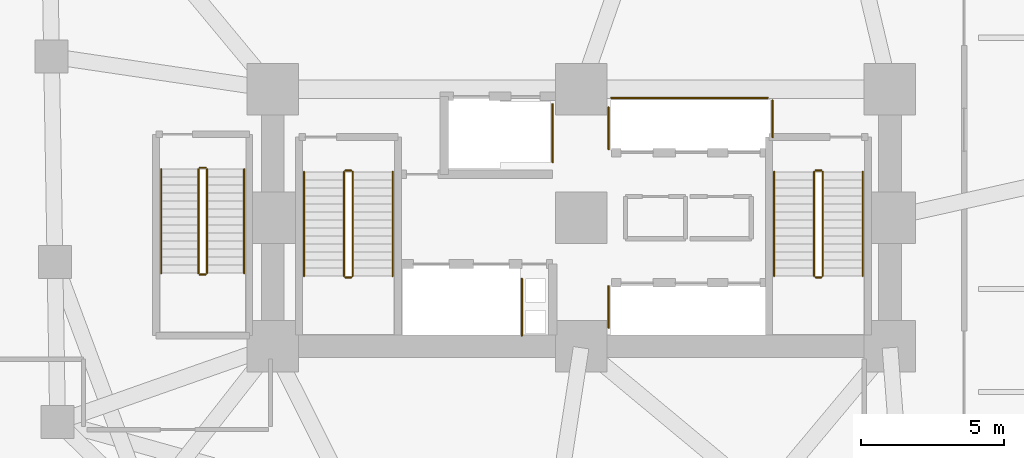
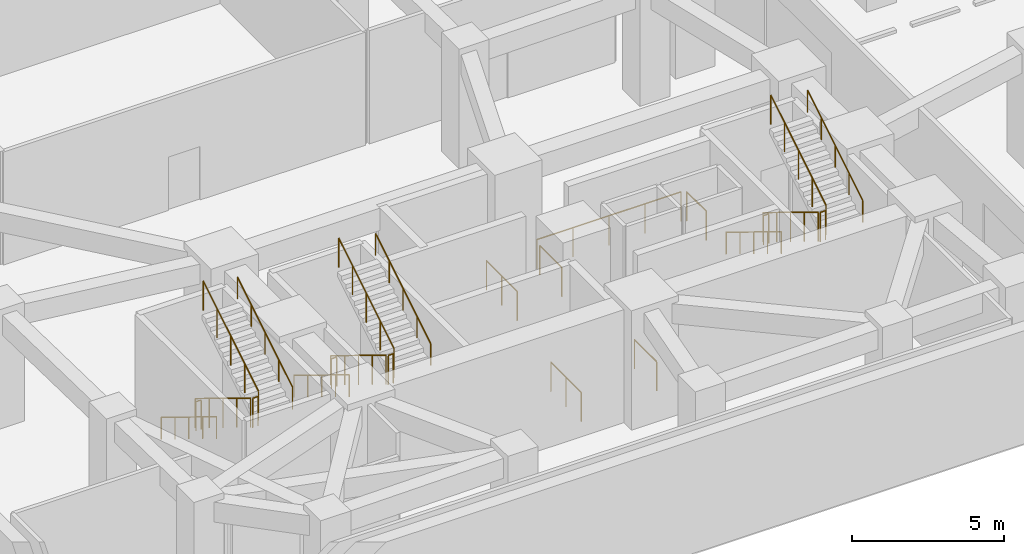
# One storey, part 8 of 11: 24 railings.
"""IFC4 building model written with IfcOpenShell, lengths in metres."""

import ifcopenshell
import ifcopenshell.guid

model = None  # the IFC model being written
_history = None  # IfcOwnerHistory: only IFC2X3 demands one
_inside = {}  # id of a spatial element -> (the spatial element, [elements in it])
_under = {}  # id of a project, library or spatial element -> (it, [spatial elements below it])
_declared = {}  # id of a project -> (the project, [libraries it declares])
_typed = {}  # id of a type object -> (the type object, [elements of that type])
_made_of = {}  # id of a material, layer set ... -> (it, [elements and type objects made of it])


def new_model(schema):
    """Start an empty IFC model of exactly this schema.

    Asked for "IFC4X3", IfcOpenShell would pick the latest addendum, in which some entities
    have other attributes; the version numbers below select the first issue.
    IFC2X3 requires an IfcOwnerHistory on every rooted entity: one is made here for all.
    """
    global model, _history
    if schema == "IFC4X3":
        model = ifcopenshell.file(schema_version=(4, 3, 0, 0))
    else:
        model = ifcopenshell.file(schema=schema)
    _inside.clear()
    _under.clear()
    _declared.clear()
    _typed.clear()
    _made_of.clear()
    _history = None
    if model.schema == "IFC2X3":
        org = make("IfcOrganization", Name="unknown")
        user = make(
            "IfcPersonAndOrganization",
            ThePerson=make("IfcPerson", FamilyName="unknown"),
            TheOrganization=org,
        )
        app = make(
            "IfcApplication",
            ApplicationDeveloper=org,
            Version="unknown",
            ApplicationFullName="unknown",
            ApplicationIdentifier="unknown",
        )
        _history = make(
            "IfcOwnerHistory",
            OwningUser=user,
            OwningApplication=app,
            ChangeAction="ADDED",
            CreationDate=0,
        )
    return model


def make(cls, **values):
    """One entity of the class cls with the attributes given. An attribute that is None is left unset."""
    return model.create_entity(
        cls, **{name: value for name, value in values.items() if value is not None}
    )


def rooted(cls, **values):
    """An entity with a GlobalId (a new one), such as an element, a storey or a relation."""
    return make(cls, GlobalId=ifcopenshell.guid.new(), OwnerHistory=_history, **values)


def si_unit(unit_type, name, prefix=None):
    """IfcSIUnit, for example si_unit("LENGTHUNIT", "METRE", prefix="MILLI")."""
    return make("IfcSIUnit", UnitType=unit_type, Prefix=prefix, Name=name)


def assignment(units):
    """IfcUnitAssignment: the units of a project."""
    return None if units is None else make("IfcUnitAssignment", Units=units)


def point(xyz):
    """IfcCartesianPoint."""
    return None if xyz is None else make("IfcCartesianPoint", Coordinates=xyz)


def direction(xyz):
    """IfcDirection."""
    return None if xyz is None else make("IfcDirection", DirectionRatios=xyz)


def frame(location, z_axis=None, x_axis=None):
    """IfcAxis2Placement3D, a coordinate frame: its origin and axes. An axis left out is left unset."""
    return make(
        "IfcAxis2Placement3D",
        Location=point(location),
        Axis=direction(z_axis),
        RefDirection=direction(x_axis),
    )


def frame_2d(location, x_axis=None):
    """IfcAxis2Placement2D, a coordinate frame in the plane: its origin and x axis."""
    return make(
        "IfcAxis2Placement2D", Location=point(location), RefDirection=direction(x_axis)
    )


def origin():
    """The frame at (0, 0, 0) with its axes left unset."""
    return frame((0.0, 0.0, 0.0))


def origin_2d():
    """The frame at (0, 0) in the plane with its x axis left unset."""
    return frame_2d((0.0, 0.0))


def place(relative_to, where):
    """IfcLocalPlacement: puts the frame where relative to a parent placement (None: the world)."""
    return make(
        "IfcLocalPlacement", PlacementRelTo=relative_to, RelativePlacement=where
    )


def context(
    kind, dimensions, precision=None, world=None, true_north=None, identifier=None
):
    """IfcGeometricRepresentationContext, for example the 3D "Model" context."""
    return make(
        "IfcGeometricRepresentationContext",
        ContextIdentifier=identifier,
        ContextType=kind,
        CoordinateSpaceDimension=dimensions,
        Precision=precision,
        WorldCoordinateSystem=world,
        TrueNorth=true_north,
    )


def subcontext(parent, identifier, kind, view, scale=None):
    """IfcGeometricRepresentationSubContext, for example "Body" below "Model"."""
    return make(
        "IfcGeometricRepresentationSubContext",
        ContextIdentifier=identifier,
        ContextType=kind,
        ParentContext=parent,
        TargetScale=scale,
        TargetView=view,
    )


def project(units=None, contexts=None):
    """IfcProject with its units and contexts."""
    return rooted(
        "IfcProject",
        Name="project",
        RepresentationContexts=contexts,
        UnitsInContext=assignment(units),
    )


def spatial(cls, under=None, at=None, **own):
    """A site, building, storey or space (cls), placed at a placement, below another one or the project."""
    s = rooted(cls, ObjectPlacement=at, **own)
    if under is not None:
        _under.setdefault(under.id(), (under, []))[1].append(s)
    return s


def profile(cls, at=None, kind="AREA", **sizes):
    """A parametric profile (cls). Its sizes go by their IFC names, for example OverallWidth=200.0."""
    return make(cls, ProfileType=kind, Position=at, **sizes)


def circle(**sizes):
    """IfcCircleProfileDef."""
    return profile("IfcCircleProfileDef", **sizes)


def extrude(swept, where, along, depth):
    """IfcExtrudedAreaSolid: the profile swept, set in the frame where, extruded along a direction by depth."""
    return make(
        "IfcExtrudedAreaSolid",
        SweptArea=swept,
        Position=where,
        ExtrudedDirection=direction(along),
        Depth=depth,
    )


def shape(context_of_items, identifier, shape_type, items):
    """IfcShapeRepresentation: the items that make up one representation, for example the "Body"."""
    return make(
        "IfcShapeRepresentation",
        ContextOfItems=context_of_items,
        RepresentationIdentifier=identifier,
        RepresentationType=shape_type,
        Items=items,
    )


def material(Name=None, Category=None):
    """IfcMaterial."""
    return make("IfcMaterial", Name=Name, Category=Category)


def made_of(thing, what):
    """Note that an element or type object is made of a material, layer set ...; save() writes the relation."""
    if what is not None:
        _made_of.setdefault(what.id(), (what, []))[1].append(thing)
    return thing


def type_object(cls, material=None, **own):
    """A type object (cls), such as IfcWallType, which elements share."""
    return made_of(rooted(cls, **own), material)


def element(
    cls,
    number,
    at=None,
    inside=None,
    cuts=None,
    type_object=None,
    material=None,
    context=None,
    identifier="Body",
    shape_type=None,
    held_by="IfcProductDefinitionShape",
    body=None,
    shapes=None,
    **own,
):
    """One element of the class cls, such as IfcWall. Its Tag is "e" and its number.

    at: its placement. inside: the storey or other place that contains it. cuts: it is an
    opening in that element (IfcRelVoidsElement). A single representation is given by context,
    identifier, shape_type and body (its items); several are given by shapes. held_by: the class
    of the entity that holds the representations. save() writes the other relations.
    """
    e = rooted(cls, Tag="e%d" % number, ObjectPlacement=at, **own)
    if body is not None:
        shapes = [shape(context, identifier, shape_type, body)]
    if shapes is not None:
        e.Representation = make(held_by, Representations=shapes)
    if inside is not None:
        _inside.setdefault(inside.id(), (inside, []))[1].append(e)
    if cuts is not None:
        rooted(
            "IfcRelVoidsElement", RelatingBuildingElement=cuts, RelatedOpeningElement=e
        )
    if type_object is not None:
        _typed.setdefault(type_object.id(), (type_object, []))[1].append(e)
    return made_of(e, material)


def aggregate(whole, parts):
    """IfcRelAggregates: a whole, such as a stair, and the parts it consists of."""
    return rooted("IfcRelAggregates", RelatingObject=whole, RelatedObjects=parts)


def save(model, path):
    """Write the relations noted so far, then the file.

    IfcRelAggregates (storeys below a building ...), IfcRelContainedInSpatialStructure (elements
    in a storey), IfcRelDefinesByType, IfcRelAssociatesMaterial and IfcRelDeclares: one each for
    every whole, place, type object, material and project.
    """
    for whole, parts in _under.values():
        aggregate(whole, parts)
    for where, things in _inside.values():
        rooted(
            "IfcRelContainedInSpatialStructure",
            RelatedElements=things,
            RelatingStructure=where,
        )
    for kind, things in _typed.values():
        rooted("IfcRelDefinesByType", RelatedObjects=things, RelatingType=kind)
    for what, things in _made_of.values():
        rooted("IfcRelAssociatesMaterial", RelatedObjects=things, RelatingMaterial=what)
    for by, libraries in _declared.values():
        rooted("IfcRelDeclares", RelatingContext=by, RelatedDefinitions=libraries)
    model.write(path)


model = new_model("IFC4")

# Units and contexts
model_context = context("Model", 3, precision=1e-05, world=origin(), true_north=direction((0.0, 1.0)))
body_context = subcontext(model_context, "Body", "Model", "MODEL_VIEW")
ifc_project = project(units=[si_unit("LENGTHUNIT", "METRE"), si_unit("AREAUNIT", "SQUARE_METRE"), si_unit("VOLUMEUNIT", "CUBIC_METRE"), si_unit("PLANEANGLEUNIT", "RADIAN"), si_unit("MASSUNIT", "GRAM", prefix="KILO")], contexts=[model_context])

# Site, building, storey
site_placement = place(None, origin())
site = spatial("IfcSite", under=ifc_project, at=site_placement, CompositionType="ELEMENT")
building_placement = place(site_placement, origin())
building = spatial("IfcBuilding", under=site, at=building_placement, Name="Gaonmaruhae Medical Tower", CompositionType="ELEMENT")
storey_placement = place(building_placement, frame((0.0, 0.0, -4.800048828125)))
storey = spatial("IfcBuildingStorey", under=building, at=storey_placement, Name="B01", CompositionType="ELEMENT", Elevation=-4.800048828125)

# Railings
ifc_material_1 = material(Name="Stainless steel 304 handrail", Category="steel")
railing_type_1 = type_object("IfcRailingType", Name="HR-092 Continuous Stainless Steel Stair Handrail", PredefinedType="HANDRAIL", material=ifc_material_1)
railing_1_placement = place(storey_placement, frame((15.10009765625, 13.89990234375, 0.17138671875)))
element("IfcRailing", 1, at=railing_1_placement, inside=storey, type_object=railing_type_1, Name="B01 ST-01 stair handrail 1", PredefinedType="HANDRAIL", context=body_context, shape_type="SweptSolid", body=[
    extrude(circle(Radius=0.02392578125, at=origin_2d()), frame((0.0, 0.0, 0.8759765625), z_axis=(0.0, -0.852824790078, 0.522197163366), x_axis=(1.0, 0.0, 0.0)), (0.0, 0.0, 1.0), 4.26806640625),
    extrude(circle(Radius=0.02099609375, at=origin_2d()), origin(), (0.0, 0.0, 1.0), 0.851806640625),
    extrude(circle(Radius=0.02099609375, at=origin_2d()), frame((0.0, -0.909912109375, 0.55712890625)), (0.0, 0.0, 1.0), 0.851806640625),
    extrude(circle(Radius=0.02099609375, at=origin_2d()), frame((0.0, -1.81982421875, 1.1142578125)), (0.0, 0.0, 1.0), 0.851806640625),
    extrude(circle(Radius=0.02099609375, at=origin_2d()), frame((0.0, -2.72998046875, 1.671630859375)), (0.0, 0.0, 1.0), 0.851806640625),
    extrude(circle(Radius=0.02099609375, at=origin_2d()), frame((0.0, -3.639892578125, 2.228759765625)), (0.0, 0.0, 1.0), 0.851806640625),
])
railing_2_placement = place(storey_placement, frame((18.199951171875, 10.260009765625, 2.571533203125)))
element("IfcRailing", 2, at=railing_2_placement, inside=storey, type_object=railing_type_1, Name="B01 ST-01 stair handrail 2", PredefinedType="HANDRAIL", context=body_context, shape_type="SweptSolid", body=[
    extrude(circle(Radius=0.02392578125, at=origin_2d()), frame((0.0, 0.0, 0.8759765625), z_axis=(0.0, 0.852850264322, 0.5221555579), x_axis=(-1.0, 0.0, 0.0)), (0.0, 0.0, 1.0), 4.267822265625),
    extrude(circle(Radius=0.02099609375, at=origin_2d()), origin(), (0.0, 0.0, 1.0), 0.851806640625),
    extrude(circle(Radius=0.02099609375, at=origin_2d()), frame((0.0, 0.909912109375, 0.55712890625)), (0.0, 0.0, 1.0), 0.851806640625),
    extrude(circle(Radius=0.02099609375, at=origin_2d()), frame((0.0, 1.81982421875, 1.1142578125)), (0.0, 0.0, 1.0), 0.851806640625),
    extrude(circle(Radius=0.02099609375, at=origin_2d()), frame((0.0, 2.72998046875, 1.67138671875)), (0.0, 0.0, 1.0), 0.851806640625),
    extrude(circle(Radius=0.02099609375, at=origin_2d()), frame((0.0, 3.639892578125, 2.228515625)), (0.0, 0.0, 1.0), 0.851806640625),
])
railing_3_placement = place(storey_placement, frame((31.550048828125, 13.89990234375, 0.17138671875)))
element("IfcRailing", 3, at=railing_3_placement, inside=storey, type_object=railing_type_1, Name="B01 ST-02 stair handrail 1", PredefinedType="HANDRAIL", context=body_context, shape_type="SweptSolid", body=[
    extrude(circle(Radius=0.02392578125, at=origin_2d()), frame((0.0, 0.0, 0.8759765625), z_axis=(0.0, -0.852824790078, 0.522197163366), x_axis=(1.0, 0.0, 0.0)), (0.0, 0.0, 1.0), 4.26806640625),
    extrude(circle(Radius=0.02099609375, at=origin_2d()), origin(), (0.0, 0.0, 1.0), 0.851806640625),
    extrude(circle(Radius=0.02099609375, at=origin_2d()), frame((0.0, -0.909912109375, 0.55712890625)), (0.0, 0.0, 1.0), 0.851806640625),
    extrude(circle(Radius=0.02099609375, at=origin_2d()), frame((0.0, -1.81982421875, 1.1142578125)), (0.0, 0.0, 1.0), 0.851806640625),
    extrude(circle(Radius=0.02099609375, at=origin_2d()), frame((0.0, -2.72998046875, 1.671630859375)), (0.0, 0.0, 1.0), 0.851806640625),
    extrude(circle(Radius=0.02099609375, at=origin_2d()), frame((0.0, -3.639892578125, 2.228759765625)), (0.0, 0.0, 1.0), 0.851806640625),
])
railing_4_placement = place(storey_placement, frame((34.64990234375, 10.260009765625, 2.571533203125)))
element("IfcRailing", 4, at=railing_4_placement, inside=storey, type_object=railing_type_1, Name="B01 ST-02 stair handrail 2", PredefinedType="HANDRAIL", context=body_context, shape_type="SweptSolid", body=[
    extrude(circle(Radius=0.02392578125, at=origin_2d()), frame((0.0, 0.0, 0.8759765625), z_axis=(0.0, 0.852850264322, 0.5221555579), x_axis=(-1.0, 0.0, 0.0)), (0.0, 0.0, 1.0), 4.267822265625),
    extrude(circle(Radius=0.02099609375, at=origin_2d()), origin(), (0.0, 0.0, 1.0), 0.851806640625),
    extrude(circle(Radius=0.02099609375, at=origin_2d()), frame((0.0, 0.909912109375, 0.55712890625)), (0.0, 0.0, 1.0), 0.851806640625),
    extrude(circle(Radius=0.02099609375, at=origin_2d()), frame((0.0, 1.81982421875, 1.1142578125)), (0.0, 0.0, 1.0), 0.851806640625),
    extrude(circle(Radius=0.02099609375, at=origin_2d()), frame((0.0, 2.72998046875, 1.67138671875)), (0.0, 0.0, 1.0), 0.851806640625),
    extrude(circle(Radius=0.02099609375, at=origin_2d()), frame((0.0, 3.639892578125, 2.228515625)), (0.0, 0.0, 1.0), 0.851806640625),
])
railing_5_placement = place(storey_placement, frame((10.10009765625, 14.0, 0.17138671875)))
element("IfcRailing", 5, at=railing_5_placement, inside=storey, type_object=railing_type_1, Name="B01 ST-03 stair handrail 1", PredefinedType="HANDRAIL", context=body_context, shape_type="SweptSolid", body=[
    extrude(circle(Radius=0.02392578125, at=origin_2d()), frame((0.0, 0.0, 0.8759765625), z_axis=(0.0, -0.852824790078, 0.522197163366), x_axis=(1.0, 0.0, 0.0)), (0.0, 0.0, 1.0), 4.26806640625),
    extrude(circle(Radius=0.02099609375, at=origin_2d()), origin(), (0.0, 0.0, 1.0), 0.851806640625),
    extrude(circle(Radius=0.02099609375, at=origin_2d()), frame((0.0, -0.909912109375, 0.55712890625)), (0.0, 0.0, 1.0), 0.851806640625),
    extrude(circle(Radius=0.02099609375, at=origin_2d()), frame((0.0, -1.81982421875, 1.1142578125)), (0.0, 0.0, 1.0), 0.851806640625),
    extrude(circle(Radius=0.02099609375, at=origin_2d()), frame((0.0, -2.72998046875, 1.671630859375)), (0.0, 0.0, 1.0), 0.851806640625),
    extrude(circle(Radius=0.02099609375, at=origin_2d()), frame((0.0, -3.639892578125, 2.228759765625)), (0.0, 0.0, 1.0), 0.851806640625),
])
railing_6_placement = place(storey_placement, frame((13.0, 10.360107421875, 2.571533203125)))
element("IfcRailing", 6, at=railing_6_placement, inside=storey, type_object=railing_type_1, Name="B01 ST-03 stair handrail 2", PredefinedType="HANDRAIL", context=body_context, shape_type="SweptSolid", body=[
    extrude(circle(Radius=0.02392578125, at=origin_2d()), frame((0.0, 0.0, 0.8759765625), z_axis=(0.0, 0.852850264322, 0.5221555579), x_axis=(-1.0, 0.0, 0.0)), (0.0, 0.0, 1.0), 4.267822265625),
    extrude(circle(Radius=0.02099609375, at=origin_2d()), origin(), (0.0, 0.0, 1.0), 0.851806640625),
    extrude(circle(Radius=0.02099609375, at=origin_2d()), frame((0.0, 0.909912109375, 0.55712890625)), (0.0, 0.0, 1.0), 0.851806640625),
    extrude(circle(Radius=0.02099609375, at=origin_2d()), frame((0.0, 1.81982421875, 1.1142578125)), (0.0, 0.0, 1.0), 0.851806640625),
    extrude(circle(Radius=0.02099609375, at=origin_2d()), frame((0.0, 2.72998046875, 1.67138671875)), (0.0, 0.0, 1.0), 0.851806640625),
    extrude(circle(Radius=0.02099609375, at=origin_2d()), frame((0.0, 3.639892578125, 2.228515625)), (0.0, 0.0, 1.0), 0.851806640625),
])
ifc_material_2 = material(Name="Stainless steel 304 balustrade", Category="steel")
railing_type_2 = type_object("IfcRailingType", Name="SG-112 Stair Well & Ramp Void Safety Balustrade", PredefinedType="BALUSTRADE", material=ifc_material_2)
railing_7_placement = place(storey_placement, frame((16.5, 13.89990234375, 0.17138671875)))
element("IfcRailing", 7, at=railing_7_placement, inside=storey, type_object=railing_type_2, Name="B01 ST-01 stair guard 1", PredefinedType="BALUSTRADE", context=body_context, shape_type="SweptSolid", body=[
    extrude(circle(Radius=0.02392578125, at=origin_2d()), frame((0.0, 0.0, 1.17578125), z_axis=(0.0, -0.852824790078, 0.522197163366), x_axis=(1.0, 0.0, 0.0)), (0.0, 0.0, 1.0), 4.26806640625),
    extrude(circle(Radius=0.02099609375, at=origin_2d()), origin(), (0.0, 0.0, 1.0), 1.15185546875),
    extrude(circle(Radius=0.02099609375, at=origin_2d()), frame((0.0, -0.909912109375, 0.55712890625)), (0.0, 0.0, 1.0), 1.15185546875),
    extrude(circle(Radius=0.02099609375, at=origin_2d()), frame((0.0, -1.81982421875, 1.1142578125)), (0.0, 0.0, 1.0), 1.15185546875),
    extrude(circle(Radius=0.02099609375, at=origin_2d()), frame((0.0, -2.72998046875, 1.671630859375)), (0.0, 0.0, 1.0), 1.15185546875),
    extrude(circle(Radius=0.02099609375, at=origin_2d()), frame((0.0, -3.639892578125, 2.228759765625)), (0.0, 0.0, 1.0), 1.15185546875),
])
railing_8_placement = place(storey_placement, frame((16.550048828125, 10.2099609375, 2.400146484375)))
element("IfcRailing", 8, at=railing_8_placement, inside=storey, type_object=railing_type_2, Name="B01 ST-01 stair guard 2", PredefinedType="BALUSTRADE", context=body_context, shape_type="SweptSolid", body=[
    extrude(circle(Radius=0.02392578125, at=origin_2d()), frame((0.0, 0.0, 1.17578125), z_axis=(1.0, 0.0, 0.0), x_axis=(0.0, 1.0, 0.0)), (0.0, 0.0, 1.0), 0.199951171875),
    extrude(circle(Radius=0.02099609375, at=origin_2d()), origin(), (0.0, 0.0, 1.0), 1.15185546875),
    extrude(circle(Radius=0.02099609375, at=origin_2d()), frame((0.199951171875, 0.0, 0.0)), (0.0, 0.0, 1.0), 1.15185546875),
])
railing_9_placement = place(storey_placement, frame((16.800048828125, 10.260009765625, 2.571533203125)))
element("IfcRailing", 9, at=railing_9_placement, inside=storey, type_object=railing_type_2, Name="B01 ST-01 stair guard 3", PredefinedType="BALUSTRADE", context=body_context, shape_type="SweptSolid", body=[
    extrude(circle(Radius=0.02392578125, at=origin_2d()), frame((0.0, 0.0, 1.17578125), z_axis=(0.0, 0.852850264322, 0.5221555579), x_axis=(-1.0, 0.0, 0.0)), (0.0, 0.0, 1.0), 4.267822265625),
    extrude(circle(Radius=0.02099609375, at=origin_2d()), origin(), (0.0, 0.0, 1.0), 1.15185546875),
    extrude(circle(Radius=0.02099609375, at=origin_2d()), frame((0.0, 0.909912109375, 0.55712890625)), (0.0, 0.0, 1.0), 1.15185546875),
    extrude(circle(Radius=0.02099609375, at=origin_2d()), frame((0.0, 1.81982421875, 1.1142578125)), (0.0, 0.0, 1.0), 1.15185546875),
    extrude(circle(Radius=0.02099609375, at=origin_2d()), frame((0.0, 2.72998046875, 1.67138671875)), (0.0, 0.0, 1.0), 1.15185546875),
    extrude(circle(Radius=0.02099609375, at=origin_2d()), frame((0.0, 3.639892578125, 2.228515625)), (0.0, 0.0, 1.0), 1.15185546875),
])
railing_10_placement = place(storey_placement, frame((16.550048828125, 13.949951171875, 0.0)))
element("IfcRailing", 10, at=railing_10_placement, inside=storey, type_object=railing_type_2, Name="B01 ST-01 stair guard 4", PredefinedType="BALUSTRADE", context=body_context, shape_type="SweptSolid", body=[
    extrude(circle(Radius=0.02392578125, at=origin_2d()), frame((0.0, 0.0, 1.17578125), z_axis=(1.0, 0.0, 0.0), x_axis=(0.0, 1.0, 0.0)), (0.0, 0.0, 1.0), 0.199951171875),
    extrude(circle(Radius=0.02099609375, at=origin_2d()), origin(), (0.0, 0.0, 1.0), 1.15185546875),
    extrude(circle(Radius=0.02099609375, at=origin_2d()), frame((0.199951171875, 0.0, 0.0)), (0.0, 0.0, 1.0), 1.15185546875),
])
railing_11_placement = place(storey_placement, frame((32.949951171875, 13.89990234375, 0.17138671875)))
element("IfcRailing", 11, at=railing_11_placement, inside=storey, type_object=railing_type_2, Name="B01 ST-02 stair guard 1", PredefinedType="BALUSTRADE", context=body_context, shape_type="SweptSolid", body=[
    extrude(circle(Radius=0.02392578125, at=origin_2d()), frame((0.0, 0.0, 1.17578125), z_axis=(0.0, -0.852824790078, 0.522197163366), x_axis=(1.0, 0.0, 0.0)), (0.0, 0.0, 1.0), 4.26806640625),
    extrude(circle(Radius=0.02099609375, at=origin_2d()), origin(), (0.0, 0.0, 1.0), 1.15185546875),
    extrude(circle(Radius=0.02099609375, at=origin_2d()), frame((0.0, -0.909912109375, 0.55712890625)), (0.0, 0.0, 1.0), 1.15185546875),
    extrude(circle(Radius=0.02099609375, at=origin_2d()), frame((0.0, -1.81982421875, 1.1142578125)), (0.0, 0.0, 1.0), 1.15185546875),
    extrude(circle(Radius=0.02099609375, at=origin_2d()), frame((0.0, -2.72998046875, 1.671630859375)), (0.0, 0.0, 1.0), 1.15185546875),
    extrude(circle(Radius=0.02099609375, at=origin_2d()), frame((0.0, -3.639892578125, 2.228759765625)), (0.0, 0.0, 1.0), 1.15185546875),
])
railing_12_placement = place(storey_placement, frame((33.0, 10.2099609375, 2.400146484375)))
element("IfcRailing", 12, at=railing_12_placement, inside=storey, type_object=railing_type_2, Name="B01 ST-02 stair guard 2", PredefinedType="BALUSTRADE", context=body_context, shape_type="SweptSolid", body=[
    extrude(circle(Radius=0.02392578125, at=origin_2d()), frame((0.0, 0.0, 1.17578125), z_axis=(1.0, 0.0, 0.0), x_axis=(0.0, 1.0, 0.0)), (0.0, 0.0, 1.0), 0.199951171875),
    extrude(circle(Radius=0.02099609375, at=origin_2d()), origin(), (0.0, 0.0, 1.0), 1.15185546875),
    extrude(circle(Radius=0.02099609375, at=origin_2d()), frame((0.199951171875, 0.0, 0.0)), (0.0, 0.0, 1.0), 1.15185546875),
])
railing_13_placement = place(storey_placement, frame((33.25, 10.260009765625, 2.571533203125)))
element("IfcRailing", 13, at=railing_13_placement, inside=storey, type_object=railing_type_2, Name="B01 ST-02 stair guard 3", PredefinedType="BALUSTRADE", context=body_context, shape_type="SweptSolid", body=[
    extrude(circle(Radius=0.02392578125, at=origin_2d()), frame((0.0, 0.0, 1.17578125), z_axis=(0.0, 0.852850264322, 0.5221555579), x_axis=(-1.0, 0.0, 0.0)), (0.0, 0.0, 1.0), 4.267822265625),
    extrude(circle(Radius=0.02099609375, at=origin_2d()), origin(), (0.0, 0.0, 1.0), 1.15185546875),
    extrude(circle(Radius=0.02099609375, at=origin_2d()), frame((0.0, 0.909912109375, 0.55712890625)), (0.0, 0.0, 1.0), 1.15185546875),
    extrude(circle(Radius=0.02099609375, at=origin_2d()), frame((0.0, 1.81982421875, 1.1142578125)), (0.0, 0.0, 1.0), 1.15185546875),
    extrude(circle(Radius=0.02099609375, at=origin_2d()), frame((0.0, 2.72998046875, 1.67138671875)), (0.0, 0.0, 1.0), 1.15185546875),
    extrude(circle(Radius=0.02099609375, at=origin_2d()), frame((0.0, 3.639892578125, 2.228515625)), (0.0, 0.0, 1.0), 1.15185546875),
])
railing_14_placement = place(storey_placement, frame((33.0, 13.949951171875, 0.0)))
element("IfcRailing", 14, at=railing_14_placement, inside=storey, type_object=railing_type_2, Name="B01 ST-02 stair guard 4", PredefinedType="BALUSTRADE", context=body_context, shape_type="SweptSolid", body=[
    extrude(circle(Radius=0.02392578125, at=origin_2d()), frame((0.0, 0.0, 1.17578125), z_axis=(1.0, 0.0, 0.0), x_axis=(0.0, 1.0, 0.0)), (0.0, 0.0, 1.0), 0.199951171875),
    extrude(circle(Radius=0.02099609375, at=origin_2d()), origin(), (0.0, 0.0, 1.0), 1.15185546875),
    extrude(circle(Radius=0.02099609375, at=origin_2d()), frame((0.199951171875, 0.0, 0.0)), (0.0, 0.0, 1.0), 1.15185546875),
])
railing_15_placement = place(storey_placement, frame((11.39990234375, 14.0, 0.17138671875)))
element("IfcRailing", 15, at=railing_15_placement, inside=storey, type_object=railing_type_2, Name="B01 ST-03 stair guard 1", PredefinedType="BALUSTRADE", context=body_context, shape_type="SweptSolid", body=[
    extrude(circle(Radius=0.02392578125, at=origin_2d()), frame((0.0, 0.0, 1.17578125), z_axis=(0.0, -0.852824790078, 0.522197163366), x_axis=(1.0, 0.0, 0.0)), (0.0, 0.0, 1.0), 4.26806640625),
    extrude(circle(Radius=0.02099609375, at=origin_2d()), origin(), (0.0, 0.0, 1.0), 1.15185546875),
    extrude(circle(Radius=0.02099609375, at=origin_2d()), frame((0.0, -0.909912109375, 0.55712890625)), (0.0, 0.0, 1.0), 1.15185546875),
    extrude(circle(Radius=0.02099609375, at=origin_2d()), frame((0.0, -1.81982421875, 1.1142578125)), (0.0, 0.0, 1.0), 1.15185546875),
    extrude(circle(Radius=0.02099609375, at=origin_2d()), frame((0.0, -2.72998046875, 1.671630859375)), (0.0, 0.0, 1.0), 1.15185546875),
    extrude(circle(Radius=0.02099609375, at=origin_2d()), frame((0.0, -3.639892578125, 2.228759765625)), (0.0, 0.0, 1.0), 1.15185546875),
])
railing_16_placement = place(storey_placement, frame((11.449951171875, 10.31005859375, 2.400146484375)))
element("IfcRailing", 16, at=railing_16_placement, inside=storey, type_object=railing_type_2, Name="B01 ST-03 stair guard 2", PredefinedType="BALUSTRADE", context=body_context, shape_type="SweptSolid", body=[
    extrude(circle(Radius=0.02392578125, at=origin_2d()), frame((0.0, 0.0, 1.17578125), z_axis=(1.0, 0.0, 0.0), x_axis=(0.0, 1.0, 0.0)), (0.0, 0.0, 1.0), 0.199951171875),
    extrude(circle(Radius=0.02099609375, at=origin_2d()), origin(), (0.0, 0.0, 1.0), 1.15185546875),
    extrude(circle(Radius=0.02099609375, at=origin_2d()), frame((0.199951171875, 0.0, 0.0)), (0.0, 0.0, 1.0), 1.15185546875),
])
railing_17_placement = place(storey_placement, frame((11.699951171875, 10.360107421875, 2.571533203125)))
element("IfcRailing", 17, at=railing_17_placement, inside=storey, type_object=railing_type_2, Name="B01 ST-03 stair guard 3", PredefinedType="BALUSTRADE", context=body_context, shape_type="SweptSolid", body=[
    extrude(circle(Radius=0.02392578125, at=origin_2d()), frame((0.0, 0.0, 1.17578125), z_axis=(0.0, 0.852850264322, 0.5221555579), x_axis=(-1.0, 0.0, 0.0)), (0.0, 0.0, 1.0), 4.267822265625),
    extrude(circle(Radius=0.02099609375, at=origin_2d()), origin(), (0.0, 0.0, 1.0), 1.15185546875),
    extrude(circle(Radius=0.02099609375, at=origin_2d()), frame((0.0, 0.909912109375, 0.55712890625)), (0.0, 0.0, 1.0), 1.15185546875),
    extrude(circle(Radius=0.02099609375, at=origin_2d()), frame((0.0, 1.81982421875, 1.1142578125)), (0.0, 0.0, 1.0), 1.15185546875),
    extrude(circle(Radius=0.02099609375, at=origin_2d()), frame((0.0, 2.72998046875, 1.67138671875)), (0.0, 0.0, 1.0), 1.15185546875),
    extrude(circle(Radius=0.02099609375, at=origin_2d()), frame((0.0, 3.639892578125, 2.228515625)), (0.0, 0.0, 1.0), 1.15185546875),
])
railing_18_placement = place(storey_placement, frame((11.449951171875, 14.050048828125, 0.0)))
element("IfcRailing", 18, at=railing_18_placement, inside=storey, type_object=railing_type_2, Name="B01 ST-03 stair guard 4", PredefinedType="BALUSTRADE", context=body_context, shape_type="SweptSolid", body=[
    extrude(circle(Radius=0.02392578125, at=origin_2d()), frame((0.0, 0.0, 1.17578125), z_axis=(1.0, 0.0, 0.0), x_axis=(0.0, 1.0, 0.0)), (0.0, 0.0, 1.0), 0.199951171875),
    extrude(circle(Radius=0.02099609375, at=origin_2d()), origin(), (0.0, 0.0, 1.0), 1.15185546875),
    extrude(circle(Radius=0.02099609375, at=origin_2d()), frame((0.199951171875, 0.0, 0.0)), (0.0, 0.0, 1.0), 1.15185546875),
])
railing_19_placement = place(storey_placement, frame((22.719970703125, 10.159912109375, 0.0)))
element("IfcRailing", 19, at=railing_19_placement, inside=storey, type_object=railing_type_2, Name="B01 Shaft Edge Safety Guard 01", PredefinedType="BALUSTRADE", context=body_context, shape_type="SweptSolid", body=[
    extrude(circle(Radius=0.02392578125, at=origin_2d()), frame((0.0, 0.0, 1.17578125), z_axis=(0.0, -1.0, 0.0), x_axis=(1.0, 0.0, 0.0)), (0.0, 0.0, 1.0), 1.994873046875),
    extrude(circle(Radius=0.02099609375, at=origin_2d()), origin(), (0.0, 0.0, 1.0), 1.15185546875),
    extrude(circle(Radius=0.02099609375, at=origin_2d()), frame((0.0, -0.99755859375, 0.0)), (0.0, 0.0, 1.0), 1.15185546875),
    extrude(circle(Radius=0.02099609375, at=origin_2d()), frame((0.0, -1.994873046875, 0.0)), (0.0, 0.0, 1.0), 1.15185546875),
])
railing_20_placement = place(storey_placement, frame((23.794921875, 16.27587890625, 0.0)))
element("IfcRailing", 20, at=railing_20_placement, inside=storey, type_object=railing_type_2, Name="B01 Shaft Edge Safety Guard 02", PredefinedType="BALUSTRADE", context=body_context, shape_type="SweptSolid", body=[
    extrude(circle(Radius=0.02392578125, at=origin_2d()), frame((0.0, 0.0, 1.17578125), z_axis=(0.0, -1.0, 0.0), x_axis=(1.0, 0.0, 0.0)), (0.0, 0.0, 1.0), 2.03076171875),
    extrude(circle(Radius=0.02099609375, at=origin_2d()), origin(), (0.0, 0.0, 1.0), 1.15185546875),
    extrude(circle(Radius=0.02099609375, at=origin_2d()), frame((0.0, -1.015380859375, 0.0)), (0.0, 0.0, 1.0), 1.15185546875),
    extrude(circle(Radius=0.02099609375, at=origin_2d()), frame((0.0, -2.03076171875, 0.0)), (0.0, 0.0, 1.0), 1.15185546875),
])
railing_21_placement = place(storey_placement, frame((25.7548828125, 8.445068359375, 0.0)))
element("IfcRailing", 21, at=railing_21_placement, inside=storey, type_object=railing_type_2, Name="B01 Shaft Edge Safety Guard 03", PredefinedType="BALUSTRADE", context=body_context, shape_type="SweptSolid", body=[
    extrude(circle(Radius=0.02392578125, at=origin_2d()), frame((0.0, 0.0, 1.17578125), z_axis=(0.0, 1.0, 0.0), x_axis=(-1.0, 0.0, 0.0)), (0.0, 0.0, 1.0), 1.4599609375),
    extrude(circle(Radius=0.02099609375, at=origin_2d()), origin(), (0.0, 0.0, 1.0), 1.15185546875),
    extrude(circle(Radius=0.02099609375, at=origin_2d()), frame((0.0, 1.4599609375, 0.0)), (0.0, 0.0, 1.0), 1.15185546875),
])
railing_22_placement = place(storey_placement, frame((31.4951171875, 16.405029296875, 0.0)))
element("IfcRailing", 22, at=railing_22_placement, inside=storey, type_object=railing_type_2, Name="B01 Shaft Edge Safety Guard 04", PredefinedType="BALUSTRADE", context=body_context, shape_type="SweptSolid", body=[
    extrude(circle(Radius=0.02392578125, at=origin_2d()), frame((0.0, 0.0, 1.17578125), z_axis=(0.0, -1.0, 0.0), x_axis=(1.0, 0.0, 0.0)), (0.0, 0.0, 1.0), 1.284912109375),
    extrude(circle(Radius=0.02099609375, at=origin_2d()), origin(), (0.0, 0.0, 1.0), 1.15185546875),
    extrude(circle(Radius=0.02099609375, at=origin_2d()), frame((0.0, -1.284912109375, 0.0)), (0.0, 0.0, 1.0), 1.15185546875),
])
railing_23_placement = place(storey_placement, frame((25.7548828125, 14.695068359375, 0.0)))
element("IfcRailing", 23, at=railing_23_placement, inside=storey, type_object=railing_type_2, Name="B01 Shaft Edge Safety Guard 05", PredefinedType="BALUSTRADE", context=body_context, shape_type="SweptSolid", body=[
    extrude(circle(Radius=0.02392578125, at=origin_2d()), frame((0.0, 0.0, 1.17578125), z_axis=(0.0, 1.0, 0.0), x_axis=(-1.0, 0.0, 0.0)), (0.0, 0.0, 1.0), 1.4599609375),
    extrude(circle(Radius=0.02099609375, at=origin_2d()), origin(), (0.0, 0.0, 1.0), 1.15185546875),
    extrude(circle(Radius=0.02099609375, at=origin_2d()), frame((0.0, 1.4599609375, 0.0)), (0.0, 0.0, 1.0), 1.15185546875),
])
railing_24_placement = place(storey_placement, frame((25.844970703125, 16.4951171875, 0.0)))
element("IfcRailing", 24, at=railing_24_placement, inside=storey, type_object=railing_type_2, Name="B01 Shaft Edge Safety Guard 06", PredefinedType="BALUSTRADE", context=body_context, shape_type="SweptSolid", body=[
    extrude(circle(Radius=0.02392578125, at=origin_2d()), frame((0.0, 0.0, 1.17578125), z_axis=(1.0, 0.0, 0.0), x_axis=(0.0, 1.0, 0.0)), (0.0, 0.0, 1.0), 5.485107421875),
    extrude(circle(Radius=0.02099609375, at=origin_2d()), origin(), (0.0, 0.0, 1.0), 1.15185546875),
    extrude(circle(Radius=0.02099609375, at=origin_2d()), frame((1.371337890625, 0.0, 0.0)), (0.0, 0.0, 1.0), 1.15185546875),
    extrude(circle(Radius=0.02099609375, at=origin_2d()), frame((2.74267578125, 0.0, 0.0)), (0.0, 0.0, 1.0), 1.15185546875),
    extrude(circle(Radius=0.02099609375, at=origin_2d()), frame((4.11376953125, 0.0, 0.0)), (0.0, 0.0, 1.0), 1.15185546875),
    extrude(circle(Radius=0.02099609375, at=origin_2d()), frame((5.485107421875, 0.0, 0.0)), (0.0, 0.0, 1.0), 1.15185546875),
])

save(model, "model.ifc")
